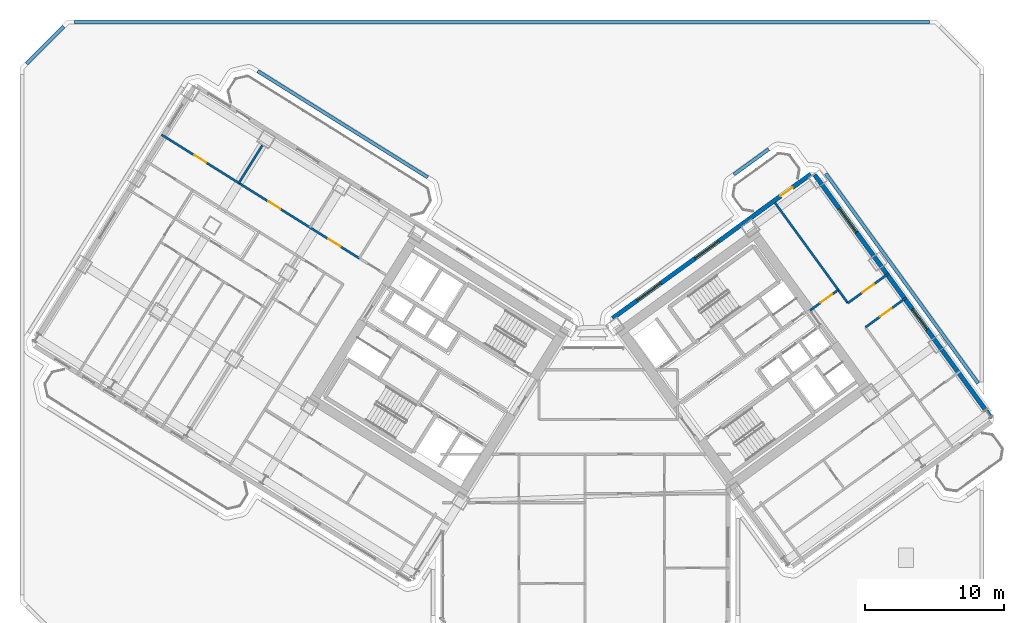
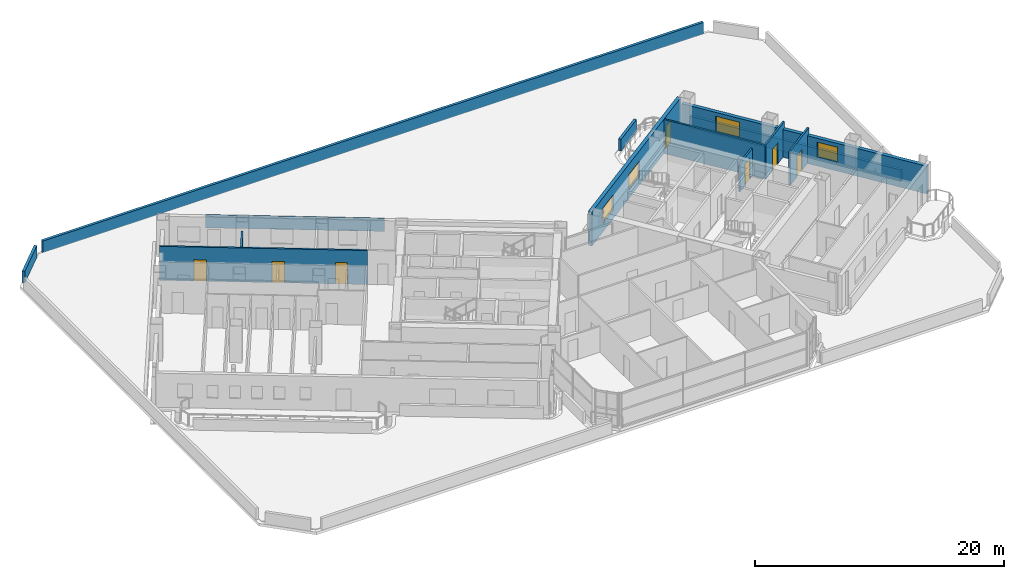
# One storey, part 20 of 28: 13 walls, 7 doors, 4 windows, 11 openings.
"""IFC4 building model written with IfcOpenShell, lengths in metres."""

from ifc_helpers import new_model, si_unit, direction, frame, frame_2d, origin, place, context, subcontext, project, spatial, rectangle, extrude, source, transform, mapped, material, layer, layer_set, type_object, element, fill, save


model = new_model("IFC4")

# Units and contexts
model_context = context("Model", 3, precision=1e-05, world=origin(), true_north=direction((0.0, 1.0)))
body_context = subcontext(model_context, "Body", "Model", "MODEL_VIEW")
ifc_project = project(units=[si_unit("LENGTHUNIT", "METRE"), si_unit("AREAUNIT", "SQUARE_METRE"), si_unit("VOLUMEUNIT", "CUBIC_METRE"), si_unit("PLANEANGLEUNIT", "RADIAN"), si_unit("MASSUNIT", "GRAM", prefix="KILO")], contexts=[model_context])

# Site, building, storey
site_placement = place(None, origin())
site = spatial("IfcSite", under=ifc_project, at=site_placement, CompositionType="ELEMENT")
building_placement = place(site_placement, origin())
building = spatial("IfcBuilding", under=site, at=building_placement, Name="Tlacorven Tower", CompositionType="ELEMENT")
storey_placement = place(building_placement, frame((0.0, 0.0, 24.0)))
storey = spatial("IfcBuildingStorey", under=building, at=storey_placement, Name="L05", CompositionType="ELEMENT", Elevation=24.0)

# Wall, openings, doors
ifc_material_1 = material(Name="Gypsum plasterboard acoustic partition", Category="gypsum")
ifc_layer_1 = layer(ifc_material_1, 0.159912109375)
ifc_layer_set_1 = layer_set([ifc_layer_1], Name="Gypsum plasterboard acoustic partition")
wall_type_1 = type_object("IfcWallType", Name="WL-DEM-160", PredefinedType="PARTITIONING", material=ifc_layer_set_1)
wall_1_placement = place(storey_placement, frame((25.75390625, 29.49658203125, 0.0), z_axis=(0.0, 0.0, 1.0), x_axis=(-0.848045850158, 0.529922858565, 0.0)))
wall_1 = element("IfcWall", 1, at=wall_1_placement, inside=storey, type_object=wall_type_1, Name="L05 Wing W Corridor South Wall", PredefinedType="PARTITIONING", context=body_context, shape_type="SweptSolid", body=[
    extrude(rectangle(XDim=16.730224609375, YDim=0.159912109375, at=frame_2d((8.365234375, 0.0))), origin(), (0.0, 0.0, 1.0), 3.340087890625),
])
opening_1_placement = place(wall_1_placement, frame((1.58837890625, 0.0, 0.0)))
opening_1 = element("IfcOpeningElement", 2, at=opening_1_placement, cuts=wall_1, Name="Opening D11", PredefinedType="OPENING", context=body_context, shape_type="SweptSolid", body=[
    extrude(rectangle(XDim=1.0, YDim=2.10009765625, at=frame_2d((0.5, 1.050048828125))), frame((0.0, 0.08984375, 0.0), z_axis=(0.0, -1.0, 0.0), x_axis=(1.0, 0.0, 0.0)), (0.0, 0.0, 1.0), 0.179931640625),
])
opening_2_placement = place(wall_1_placement, frame((6.68505859375, 0.0, 0.0)))
opening_2 = element("IfcOpeningElement", 3, at=opening_2_placement, cuts=wall_1, Name="Opening D11", PredefinedType="OPENING", context=body_context, shape_type="SweptSolid", body=[
    extrude(rectangle(XDim=1.0, YDim=2.10009765625, at=frame_2d((0.5, 1.050048828125))), frame((0.0, 0.08984375, 0.0), z_axis=(0.0, -1.0, 0.0), x_axis=(1.0, 0.0, 0.0)), (0.0, 0.0, 1.0), 0.179931640625),
])
opening_3_placement = place(wall_1_placement, frame((12.951416015625, 0.0, 0.0)))
opening_3 = element("IfcOpeningElement", 4, at=opening_3_placement, cuts=wall_1, Name="Opening D11", PredefinedType="OPENING", context=body_context, shape_type="SweptSolid", body=[
    extrude(rectangle(XDim=1.0, YDim=2.10009765625, at=frame_2d((0.5, 1.050048828125))), frame((0.0, 0.08984375, 0.0), z_axis=(0.0, -1.0, 0.0), x_axis=(1.0, 0.0, 0.0)), (0.0, 0.0, 1.0), 0.179931640625),
])
ifc_material_2 = material(Name="Fire-rated steel door assembly", Category="steel")
door_type_1 = type_object("IfcDoorType", Name="DR-FLT-FD60-1000", OperationType="NOTDEFINED", PredefinedType="DOOR", material=ifc_material_2)
shared_shape_1 = source(origin(), body_context, "Body", "SweptSolid", [
    extrude(rectangle(XDim=1.0, YDim=2.10009765625, at=frame_2d((0.5, 1.050048828125))), frame((0.0, 0.02490234375, 0.0), z_axis=(0.0, -1.0, 0.0), x_axis=(1.0, 0.0, 0.0)), (0.0, 0.0, 1.0), 0.050048828125),
])
door_1_placement = place(opening_1_placement, frame((1.0, 0.0, 0.0), z_axis=(0.0, 0.0, 1.0), x_axis=(-1.0, 0.0, 0.0)))
door_1 = element("IfcDoor", 5, at=door_1_placement, inside=storey, type_object=door_type_1, Name="L05 door 035", OperationType="SINGLE_SWING_RIGHT", OverallHeight=2.10009765625, OverallWidth=1.0, PredefinedType="DOOR", context=body_context, shape_type="MappedRepresentation", body=[
    mapped(shared_shape_1, transform((0.0, 0.0, 0.0), scale=1.0)),
])
fill(opening_1, door_1)
door_2_placement = place(opening_2_placement, frame((1.0, 0.0, 0.0), z_axis=(0.0, 0.0, 1.0), x_axis=(-1.0, 0.0, 0.0)))
door_2 = element("IfcDoor", 6, at=door_2_placement, inside=storey, type_object=door_type_1, Name="L05 door 036", OperationType="SINGLE_SWING_LEFT", OverallHeight=2.10009765625, OverallWidth=1.0, PredefinedType="DOOR", context=body_context, shape_type="MappedRepresentation", body=[
    mapped(shared_shape_1, transform((0.0, 0.0, 0.0), scale=1.0)),
])
fill(opening_2, door_2)
door_3_placement = place(opening_3_placement, frame((1.0, 0.0, 0.0), z_axis=(0.0, 0.0, 1.0), x_axis=(-1.0, 0.0, 0.0)))
door_3 = element("IfcDoor", 7, at=door_3_placement, inside=storey, type_object=door_type_1, Name="L05 door 037", OperationType="SINGLE_SWING_RIGHT", OverallHeight=2.10009765625, OverallWidth=1.0, PredefinedType="DOOR", context=body_context, shape_type="MappedRepresentation", body=[
    mapped(shared_shape_1, transform((0.0, 0.0, 0.0), scale=1.0)),
])
fill(opening_3, door_3)

# Wall
wall_2_placement = place(storey_placement, frame((18.799072265625, 37.601806640625, 0.0), z_axis=(0.0, 0.0, 1.0), x_axis=(-0.529930102756, -0.848041323399, 0.0)))
element("IfcWall", 8, at=wall_2_placement, inside=storey, type_object=wall_type_1, Name="L05 partition 68", PredefinedType="PARTITIONING", context=body_context, shape_type="SweptSolid", body=[
    extrude(rectangle(XDim=3.18798828125, YDim=0.159912109375, at=frame_2d((1.593994140625, 0.0))), origin(), (0.0, 0.0, 1.0), 2.72509765625),
])

# Wall, opening, door
wall_3_placement = place(storey_placement, frame((58.111083984375, 25.748779296875, 0.0), z_axis=(0.0, 0.0, 1.0), x_axis=(0.809000999347, 0.58780726693, 0.0)))
wall_3 = element("IfcWall", 9, at=wall_3_placement, inside=storey, type_object=wall_type_1, Name="L05 partition 91", PredefinedType="PARTITIONING", context=body_context, shape_type="SweptSolid", body=[
    extrude(rectangle(XDim=2.510009765625, YDim=0.159912109375, at=frame_2d((1.2548828125, 0.0))), origin(), (0.0, 0.0, 1.0), 2.72509765625),
])
opening_4_placement = place(wall_3_placement, frame((0.949951171875, 0.0, 0.0)))
opening_4 = element("IfcOpeningElement", 10, at=opening_4_placement, cuts=wall_3, Name="Opening D11", PredefinedType="OPENING", context=body_context, shape_type="SweptSolid", body=[
    extrude(rectangle(XDim=1.0, YDim=2.10009765625, at=frame_2d((0.5, 1.050048828125))), frame((0.0, 0.08984375, 0.0), z_axis=(0.0, -1.0, 0.0), x_axis=(1.0, 0.0, 0.0)), (0.0, 0.0, 1.0), 0.179931640625),
])
door_4_placement = place(opening_4_placement, origin())
door_4 = element("IfcDoor", 11, at=door_4_placement, inside=storey, type_object=door_type_1, Name="L05 door 054", OperationType="SINGLE_SWING_LEFT", OverallHeight=2.10009765625, OverallWidth=1.0, PredefinedType="DOOR", context=body_context, shape_type="MappedRepresentation", body=[
    mapped(shared_shape_1, transform((0.0, 0.0, 0.0), scale=1.0)),
])
fill(opening_4, door_4)

# Wall
wall_4_placement = place(storey_placement, frame((60.829345703125, 26.277587890625, 0.0), z_axis=(0.0, 0.0, 1.0), x_axis=(-0.587781800813, 0.80901950201, 0.0)))
element("IfcWall", 12, at=wall_4_placement, inside=storey, type_object=wall_type_1, Name="L05 partition 93", PredefinedType="PARTITIONING", context=body_context, shape_type="SweptSolid", body=[
    extrude(rectangle(XDim=8.89990234375, YDim=0.159912109375, at=frame_2d((4.449951171875, 0.0))), origin(), (0.0, 0.0, 1.0), 3.340087890625),
])

# Wall, opening, door
wall_5_placement = place(storey_placement, frame((62.093017578125, 24.538330078125, 0.0), z_axis=(0.0, 0.0, 1.0), x_axis=(0.809035546126, 0.58775971715, 0.0)))
wall_5 = element("IfcWall", 13, at=wall_5_placement, inside=storey, type_object=wall_type_1, Name="L05 partition 95", PredefinedType="PARTITIONING", context=body_context, shape_type="SweptSolid", body=[
    extrude(rectangle(XDim=3.6298828125, YDim=0.159912109375, at=frame_2d((1.81494140625, 0.0))), origin(), (0.0, 0.0, 1.0), 3.340087890625),
])
opening_5_placement = place(wall_5_placement, frame((1.304931640625, 0.0, 0.0)))
opening_5 = element("IfcOpeningElement", 14, at=opening_5_placement, cuts=wall_5, Name="Opening D11", PredefinedType="OPENING", context=body_context, shape_type="SweptSolid", body=[
    extrude(rectangle(XDim=1.0, YDim=2.10009765625, at=frame_2d((0.5, 1.050048828125))), frame((0.0, 0.08984375, 0.0), z_axis=(0.0, -1.0, 0.0), x_axis=(1.0, 0.0, 0.0)), (0.0, 0.0, 1.0), 0.179931640625),
])
door_5_placement = place(opening_5_placement, origin())
door_5 = element("IfcDoor", 15, at=door_5_placement, inside=storey, type_object=door_type_1, Name="L05 door 057", OperationType="SINGLE_SWING_RIGHT", OverallHeight=2.10009765625, OverallWidth=1.0, PredefinedType="DOOR", context=body_context, shape_type="MappedRepresentation", body=[
    mapped(shared_shape_1, transform((0.0, 0.0, 0.0), scale=1.0)),
])
fill(opening_5, door_5)

wall_6_placement = place(storey_placement, frame((60.829345703125, 26.277587890625, 0.0), z_axis=(0.0, 0.0, 1.0), x_axis=(0.809003564202, 0.587803736896, 0.0)))
wall_6 = element("IfcWall", 16, at=wall_6_placement, inside=storey, type_object=wall_type_1, Name="L05 partition 96", PredefinedType="PARTITIONING", context=body_context, shape_type="SweptSolid", body=[
    extrude(rectangle(XDim=3.630126953125, YDim=0.159912109375, at=frame_2d((1.81494140625, 0.0))), origin(), (0.0, 0.0, 1.0), 3.340087890625),
])
opening_6_placement = place(wall_6_placement, frame((1.304931640625, 0.0, 0.0)))
opening_6 = element("IfcOpeningElement", 17, at=opening_6_placement, cuts=wall_6, Name="Opening D11", PredefinedType="OPENING", context=body_context, shape_type="SweptSolid", body=[
    extrude(rectangle(XDim=1.0, YDim=2.10009765625, at=frame_2d((0.5, 1.050048828125))), frame((0.0, 0.08984375, 0.0), z_axis=(0.0, -1.0, 0.0), x_axis=(1.0, 0.0, 0.0)), (0.0, 0.0, 1.0), 0.179931640625),
])
door_6_placement = place(opening_6_placement, origin())
door_6 = element("IfcDoor", 18, at=door_6_placement, inside=storey, type_object=door_type_1, Name="L05 door 056", OperationType="SINGLE_SWING_LEFT", OverallHeight=2.10009765625, OverallWidth=1.0, PredefinedType="DOOR", context=body_context, shape_type="MappedRepresentation", body=[
    mapped(shared_shape_1, transform((0.0, 0.0, 0.0), scale=1.0)),
])
fill(opening_6, door_6)

# Wall, openings, door, windows
ifc_material_3 = material(Name="Precast concrete C45/55", Category="concrete")
ifc_layer_2 = layer(ifc_material_3, 0.320068359375)
ifc_layer_set_2 = layer_set([ifc_layer_2], Name="Precast concrete C45/55")
wall_type_2 = type_object("IfcWallType", Name="WL-EXT-320", PredefinedType="STANDARD", material=ifc_layer_set_2)
wall_7_placement = place(storey_placement, frame((43.93798828125, 25.191650390625, 0.0), z_axis=(0.0, 0.0, 1.0), x_axis=(0.809016324578, 0.587786174187, 0.0)))
wall_7 = element("IfcWall", 19, at=wall_7_placement, inside=storey, type_object=wall_type_2, Name="L05 Masonry-Frame Recessed Facade Wall 4", PredefinedType="STANDARD", context=body_context, shape_type="SweptSolid", body=[
    extrude(rectangle(XDim=17.58740234375, YDim=0.320068359375, at=frame_2d((8.793701171875, 0.0))), origin(), (0.0, 0.0, 1.0), 3.35009765625),
])
opening_7_placement = place(wall_7_placement, frame((14.913818359375, 0.0, 0.0)))
opening_7 = element("IfcOpeningElement", 20, at=opening_7_placement, cuts=wall_7, Name="Opening D06", PredefinedType="OPENING", context=body_context, shape_type="SweptSolid", body=[
    extrude(rectangle(XDim=1.050048828125, YDim=2.14990234375, at=frame_2d((0.52490234375, 1.074951171875))), frame((0.0, 0.169921875, 0.0), z_axis=(0.0, -1.0, 0.0), x_axis=(1.0, 0.0, 0.0)), (0.0, 0.0, 1.0), 0.340087890625),
])
opening_8_placement = place(wall_7_placement, frame((2.168701171875, 0.0, 0.800048828125)))
opening_8 = element("IfcOpeningElement", 21, at=opening_8_placement, cuts=wall_7, Name="Opening WN04", PredefinedType="OPENING", context=body_context, shape_type="SweptSolid", body=[
    extrude(rectangle(XDim=2.10009765625, YDim=1.550048828125, at=frame_2d((1.050048828125, 0.77490234375))), frame((0.0, 0.169921875, 0.0), z_axis=(0.0, -1.0, 0.0), x_axis=(1.0, 0.0, 0.0)), (0.0, 0.0, 1.0), 0.340087890625),
])
opening_9_placement = place(wall_7_placement, frame((7.318603515625, 0.0, 0.800048828125)))
opening_9 = element("IfcOpeningElement", 22, at=opening_9_placement, cuts=wall_7, Name="Opening WN04", PredefinedType="OPENING", context=body_context, shape_type="SweptSolid", body=[
    extrude(rectangle(XDim=2.10009765625, YDim=1.550048828125, at=frame_2d((1.050048828125, 0.77490234375))), frame((0.0, 0.169921875, 0.0), z_axis=(0.0, -1.0, 0.0), x_axis=(1.0, 0.0, 0.0)), (0.0, 0.0, 1.0), 0.340087890625),
])
ifc_material_4 = material(Name="Powder-coated aluminium and timber door", Category="wood")
door_type_2 = type_object("IfcDoorType", Name="DR-EXT-BALC-1050", OperationType="NOTDEFINED", PredefinedType="DOOR", material=ifc_material_4)
shared_shape_2 = source(origin(), body_context, "Body", "SweptSolid", [
    extrude(rectangle(XDim=1.050048828125, YDim=2.14990234375, at=frame_2d((0.52490234375, 1.074951171875))), frame((0.0, 0.02490234375, 0.0), z_axis=(0.0, -1.0, 0.0), x_axis=(1.0, 0.0, 0.0)), (0.0, 0.0, 1.0), 0.050048828125),
])
door_7_placement = place(opening_7_placement, origin())
door_7 = element("IfcDoor", 23, at=door_7_placement, inside=storey, type_object=door_type_2, Name="L05 Outdoor Access Door BAL-L05-E-IN", OperationType="SINGLE_SWING_RIGHT", OverallHeight=2.14990234375, OverallWidth=1.050048828125, PredefinedType="DOOR", context=body_context, shape_type="MappedRepresentation", body=[
    mapped(shared_shape_2, transform((0.0, 0.0, 0.0), scale=1.0)),
])
fill(opening_7, door_7)
ifc_material_5 = material(Name="Dark solar low-E double glazing in anodised aluminium frame", Category="aluminium")
window_type_1 = type_object("IfcWindowType", Name="WN-APT-2100X1750", PartitioningType="SINGLE_PANEL", PredefinedType="WINDOW", material=ifc_material_5)
shared_shape_3 = source(origin(), body_context, "Body", "SweptSolid", [
    extrude(rectangle(XDim=2.10009765625, YDim=1.550048828125, at=frame_2d((1.050048828125, 0.77490234375))), frame((0.0, 0.030029296875, 0.0), z_axis=(0.0, -1.0, 0.0), x_axis=(1.0, 0.0, 0.0)), (0.0, 0.0, 1.0), 0.06005859375),
])
window_1_placement = place(opening_8_placement, origin())
window_1 = element("IfcWindow", 24, at=window_1_placement, inside=storey, type_object=window_type_1, Name="L05 Recessed Masonry-Frame Window L05-04.1", OverallHeight=1.550048828125, OverallWidth=2.10009765625, PartitioningType="SINGLE_PANEL", PredefinedType="WINDOW", context=body_context, shape_type="MappedRepresentation", body=[
    mapped(shared_shape_3, transform((0.0, 0.0, 0.0), scale=1.0)),
])
fill(opening_8, window_1)
window_2_placement = place(opening_9_placement, origin())
window_2 = element("IfcWindow", 25, at=window_2_placement, inside=storey, type_object=window_type_1, Name="L05 Recessed Masonry-Frame Window L05-04.2", OverallHeight=1.550048828125, OverallWidth=2.10009765625, PartitioningType="SINGLE_PANEL", PredefinedType="WINDOW", context=body_context, shape_type="MappedRepresentation", body=[
    mapped(shared_shape_3, transform((0.0, 0.0, 0.0), scale=1.0)),
])
fill(opening_9, window_2)

# Wall, openings, windows
wall_8_placement = place(storey_placement, frame((58.45458984375, 35.483642578125, 0.0), z_axis=(0.0, 0.0, 1.0), x_axis=(0.587783625747, -0.809018176127, 0.0)))
wall_8 = element("IfcWall", 26, at=wall_8_placement, inside=storey, type_object=wall_type_2, Name="L05 Masonry-Frame Recessed Facade Wall 5", PredefinedType="STANDARD", context=body_context, shape_type="SweptSolid", body=[
    extrude(rectangle(XDim=21.58740234375, YDim=0.320068359375, at=frame_2d((10.793701171875, 0.0))), origin(), (0.0, 0.0, 1.0), 2.72509765625),
])
opening_10_placement = place(wall_8_placement, frame((2.99365234375, 0.0, 0.800048828125)))
opening_10 = element("IfcOpeningElement", 27, at=opening_10_placement, cuts=wall_8, Name="Opening WN04", PredefinedType="OPENING", context=body_context, shape_type="SweptSolid", body=[
    extrude(rectangle(XDim=2.10009765625, YDim=1.550048828125, at=frame_2d((1.050048828125, 0.77490234375))), frame((0.0, 0.169921875, 0.0), z_axis=(0.0, -1.0, 0.0), x_axis=(1.0, 0.0, 0.0)), (0.0, 0.0, 1.0), 0.340087890625),
])
opening_11_placement = place(wall_8_placement, frame((11.93359375, 0.0, 0.85009765625)))
opening_11 = element("IfcOpeningElement", 28, at=opening_11_placement, cuts=wall_8, Name="Opening WN01", PredefinedType="OPENING", context=body_context, shape_type="SweptSolid", body=[
    extrude(rectangle(XDim=1.800048828125, YDim=1.5, at=frame_2d((0.89990234375, 0.75))), frame((0.0, 0.169921875, 0.0), z_axis=(0.0, -1.0, 0.0), x_axis=(1.0, 0.0, 0.0)), (0.0, 0.0, 1.0), 0.340087890625),
])
window_3_placement = place(opening_10_placement, origin())
window_3 = element("IfcWindow", 29, at=window_3_placement, inside=storey, type_object=window_type_1, Name="L05 Recessed Masonry-Frame Window L05-05.1", OverallHeight=1.550048828125, OverallWidth=2.10009765625, PartitioningType="SINGLE_PANEL", PredefinedType="WINDOW", context=body_context, shape_type="MappedRepresentation", body=[
    mapped(shared_shape_3, transform((0.0, 0.0, 0.0), scale=1.0)),
])
fill(opening_10, window_3)
window_type_2 = type_object("IfcWindowType", Name="WN-APT-1800X1650", PartitioningType="SINGLE_PANEL", PredefinedType="WINDOW", material=ifc_material_5)
shared_shape_4 = source(origin(), body_context, "Body", "SweptSolid", [
    extrude(rectangle(XDim=1.800048828125, YDim=1.5, at=frame_2d((0.89990234375, 0.75))), frame((0.0, 0.030029296875, 0.0), z_axis=(0.0, -1.0, 0.0), x_axis=(1.0, 0.0, 0.0)), (0.0, 0.0, 1.0), 0.06005859375),
])
window_4_placement = place(opening_11_placement, origin())
window_4 = element("IfcWindow", 30, at=window_4_placement, inside=storey, type_object=window_type_2, Name="L05 Recessed Masonry-Frame Window L05-05.2", OverallHeight=1.5, OverallWidth=1.800048828125, PartitioningType="SINGLE_PANEL", PredefinedType="WINDOW", context=body_context, shape_type="MappedRepresentation", body=[
    mapped(shared_shape_4, transform((0.0, 0.0, 0.0), scale=1.0)),
])
fill(opening_11, window_4)

# Walls
ifc_layer_3 = layer(ifc_material_3, 0.239990234375)
ifc_layer_set_3 = layer_set([ifc_layer_3], Name="Precast concrete C45/55")
wall_type_3 = type_object("IfcWallType", Name="WL-PAR-240", PredefinedType="PARAPET", material=ifc_layer_set_3)
wall_9_placement = place(storey_placement, frame((1.875244140625, 43.463134765625, 0.0), z_axis=(0.0, 0.0, 1.0), x_axis=(0.707106781187, 0.707106781187, 0.0)))
element("IfcWall", 31, at=wall_9_placement, inside=storey, type_object=wall_type_3, Name="L05 Podium Setback Parapet 1 4", PredefinedType="PARAPET", context=body_context, shape_type="SweptSolid", body=[
    extrude(rectangle(XDim=3.76416015625, YDim=0.239990234375, at=frame_2d((1.882080078125, 0.0))), origin(), (0.0, 0.0, 1.0), 1.14990234375),
])
wall_10_placement = place(storey_placement, frame((5.322021484375, 46.449951171875, 0.0), z_axis=(0.0, 0.0, 1.0), x_axis=(1.0, 0.0, 0.0)))
element("IfcWall", 32, at=wall_10_placement, inside=storey, type_object=wall_type_3, Name="L05 Podium Setback Parapet 1 5", PredefinedType="PARAPET", context=body_context, shape_type="SweptSolid", body=[
    extrude(rectangle(XDim=61.35595703125, YDim=0.239990234375, at=frame_2d((30.677978515625, 0.0))), origin(), (0.0, 0.0, 1.0), 1.14990234375),
])
wall_11_placement = place(storey_placement, frame((70.1796875, 20.51953125, 0.0), z_axis=(0.0, 0.0, 1.0), x_axis=(-0.587784691012, 0.809017402169, 0.0)))
element("IfcWall", 33, at=wall_11_placement, inside=storey, type_object=wall_type_3, Name="L05 Podium Setback Parapet 1 8", PredefinedType="PARAPET", context=body_context, shape_type="SweptSolid", body=[
    extrude(rectangle(XDim=18.60791015625, YDim=0.239990234375, at=frame_2d((9.303955078125, 0.0))), origin(), (0.0, 0.0, 1.0), 1.14990234375),
])
wall_12_placement = place(storey_placement, frame((55.143310546875, 37.325439453125, 0.0), z_axis=(0.0, 0.0, 1.0), x_axis=(-0.808999321839, -0.587809575682, 0.0)))
element("IfcWall", 34, at=wall_12_placement, inside=storey, type_object=wall_type_3, Name="L05 Podium Setback Parapet 1 9", PredefinedType="PARAPET", context=body_context, shape_type="SweptSolid", body=[
    extrude(rectangle(XDim=3.087158203125, YDim=0.239990234375, at=frame_2d((1.54345703125, 0.0))), origin(), (0.0, 0.0, 1.0), 1.14990234375),
])
wall_13_placement = place(storey_placement, frame((30.671630859375, 35.302978515625, 0.0), z_axis=(0.0, 0.0, 1.0), x_axis=(-0.848051685884, 0.529913519425, 0.0)))
element("IfcWall", 35, at=wall_13_placement, inside=storey, type_object=wall_type_3, Name="L05 Podium Setback Parapet 1 13", PredefinedType="PARAPET", context=body_context, shape_type="SweptSolid", body=[
    extrude(rectangle(XDim=14.38720703125, YDim=0.239990234375, at=frame_2d((7.193603515625, 0.0))), origin(), (0.0, 0.0, 1.0), 1.14990234375),
])

save(model, "model.ifc")
